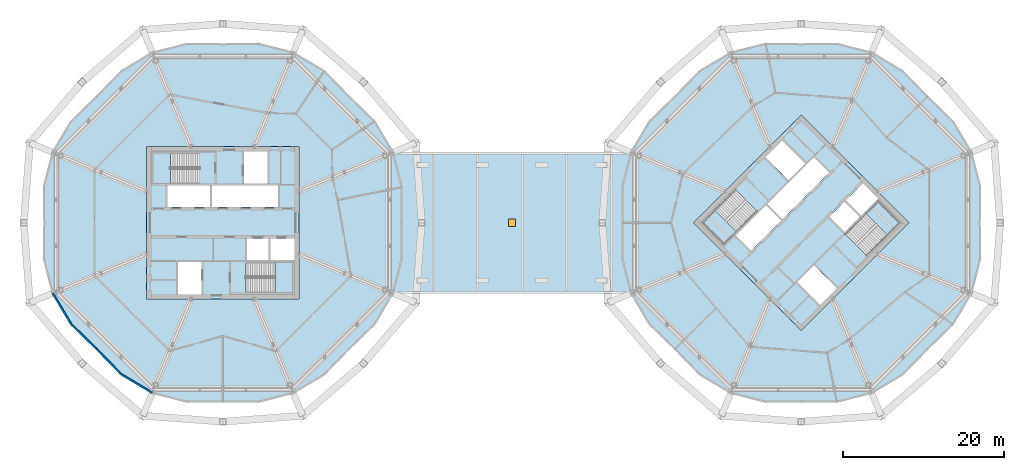
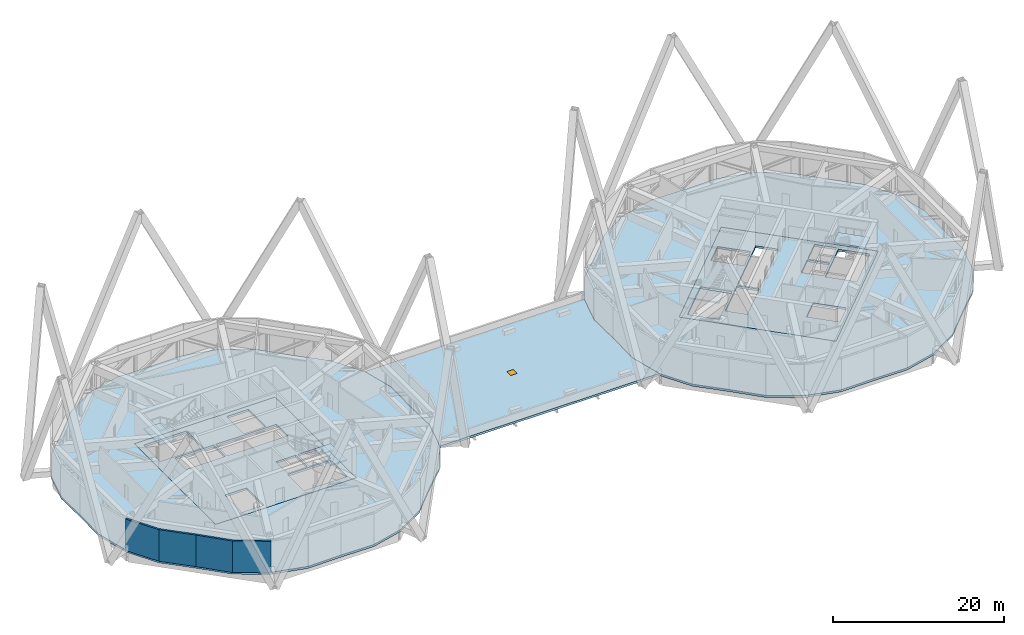
# One storey, part 11 of 20: 9 slabs, 4 walls, 1 door, 1 opening, 4 elements without a shape of their own.
"""IFC4 building model written with IfcOpenShell, lengths in metres."""

from ifc_helpers import new_model, si_unit, direction, frame, frame_2d, origin, origin_2d, place, context, subcontext, project, spatial, polyline, rectangle, outline, extrude, material, layer, layer_set, type_object, element, fill, aggregate, save


model = new_model("IFC4")

# Units and contexts
model_context = context("Model", 3, precision=1e-05, world=origin(), true_north=direction((0.0, 1.0)))
body_context = subcontext(model_context, "Body", "Model", "MODEL_VIEW")
ifc_project = project(units=[si_unit("LENGTHUNIT", "METRE"), si_unit("AREAUNIT", "SQUARE_METRE"), si_unit("VOLUMEUNIT", "CUBIC_METRE"), si_unit("PLANEANGLEUNIT", "RADIAN"), si_unit("MASSUNIT", "GRAM", prefix="KILO")], contexts=[model_context])

# Site, building, storey
site_placement = place(None, origin())
site = spatial("IfcSite", under=ifc_project, at=site_placement, CompositionType="ELEMENT")
building_placement = place(site_placement, origin())
building = spatial("IfcBuilding", under=site, at=building_placement, Name="Ogive Gate Towers", CompositionType="ELEMENT")
storey_placement = place(building_placement, frame((0.0, 0.0, 160.800048828125)))
storey = spatial("IfcBuildingStorey", under=building, at=storey_placement, Name="L38", CompositionType="ELEMENT", Elevation=160.800048828125)

# Slabs
ifc_material_1 = material(Name="Concrete C40/50", Category="concrete")
ifc_layer_1 = layer(ifc_material_1, 0.300048828125)
ifc_layer_set_1 = layer_set([ifc_layer_1], Name="Core slab C40/50 300 mm")
slab_type_1 = type_object("IfcSlabType", Name="Core slab C40/50 300 mm", PredefinedType="FLOOR", material=ifc_layer_set_1)
slab_1_placement = place(storey_placement, frame((0.0, 0.0, -0.300048828125)))
element("IfcSlab", 1, at=slab_1_placement, inside=storey, type_object=slab_type_1, Name="T1 L38 core slab", PredefinedType="FLOOR", context=body_context, shape_type="SweptSolid", body=[
    extrude(outline(polyline([(-45.5, -9.5), (-45.5, 9.5), (-26.5, 9.5), (-26.5, -9.5), (-45.5, -9.5)]), holes=[polyline([(-42.875, 1.949951171875), (-37.574951171875, 1.949951171875), (-37.574951171875, 4.625), (-42.875, 4.625), (-42.875, 1.949951171875)]), polyline([(-37.324951171875, 4.625), (-37.324951171875, 1.949951171875), (-29.125, 1.949951171875), (-29.125, 4.625), (-37.324951171875, 4.625)]), polyline([(-30.324951171875, -1.949951171875), (-32.97509765625, -1.949951171875), (-32.97509765625, -4.625), (-30.324951171875, -4.625), (-30.324951171875, -1.949951171875)]), polyline([(-27.10009765625, -4.625), (-27.10009765625, -1.949951171875), (-30.074951171875, -1.949951171875), (-30.074951171875, -4.625), (-27.10009765625, -4.625)]), polyline([(-33.375, 4.875), (-30.425048828125, 4.875), (-30.425048828125, 8.89990234375), (-33.375, 8.89990234375), (-33.375, 4.875)]), polyline([(-41.574951171875, -4.875), (-41.574951171875, -8.89990234375), (-38.625, -8.89990234375), (-38.625, -4.875), (-41.574951171875, -4.875)]), polyline([(-44.699951171875, 4.875), (-38.885009765625, 4.875), (-38.885009765625, 8.699951171875), (-44.699951171875, 8.699951171875), (-44.699951171875, 4.875)]), polyline([(-27.300048828125, -8.699951171875), (-27.300048828125, -4.875), (-33.114990234375, -4.875), (-33.114990234375, -8.699951171875), (-27.300048828125, -8.699951171875)])]), origin(), (0.0, 0.0, 1.0), 0.300048828125),
])
slab_2_placement = place(storey_placement, frame((0.0, 0.0, -0.300048828125)))
element("IfcSlab", 2, at=slab_2_placement, inside=storey, type_object=slab_type_1, Name="T2 L38 core slab", PredefinedType="FLOOR", context=body_context, shape_type="SweptSolid", body=[
    extrude(outline(polyline([(36.0, -13.43505859375), (22.56494140625, 0.0), (36.0, 13.43505859375), (49.43505859375, 0.0), (36.0, -13.43505859375)]), holes=[polyline([(29.759765625, -3.482421875), (33.50732421875, 0.26513671875), (31.615966796875, 2.15673828125), (27.868408203125, -1.591064453125), (29.759765625, -3.482421875)]), polyline([(31.792724609375, 2.33349609375), (33.68408203125, 0.44189453125), (39.482421875, 6.240234375), (37.591064453125, 8.131591796875), (31.792724609375, 2.33349609375)]), polyline([(41.3916015625, 2.634033203125), (39.517822265625, 0.760009765625), (41.409423828125, -1.13134765625), (43.283203125, 0.742431640625), (41.3916015625, 2.634033203125)]), polyline([(45.563720703125, 3.02294921875), (43.672119140625, 4.914306640625), (41.568603515625, 2.810791015625), (43.4599609375, 0.919189453125), (45.563720703125, 3.02294921875)]), polyline([(34.408935546875, 5.30322265625), (36.4951171875, 7.389404296875), (33.64892578125, 10.2353515625), (31.56298828125, 8.1494140625), (34.408935546875, 5.30322265625)]), polyline([(35.5048828125, -7.389404296875), (38.35107421875, -10.2353515625), (40.43701171875, -8.1494140625), (37.591064453125, -5.30322265625), (35.5048828125, -7.389404296875)]), polyline([(26.40087890625, -2.70458984375), (30.512939453125, 1.406982421875), (27.80810546875, 4.11181640625), (23.6962890625, 0.0), (26.40087890625, -2.70458984375)]), polyline([(48.3037109375, 0.0), (45.59912109375, 2.70458984375), (41.487060546875, -1.406982421875), (44.19189453125, -4.11181640625), (48.3037109375, 0.0)])]), origin(), (0.0, 0.0, 1.0), 0.300048828125),
])
ifc_material_2 = material(Name="Concrete C35/45", Category="concrete")
ifc_layer_2 = layer(ifc_material_2, 0.300048828125)
ifc_layer_set_2 = layer_set([ifc_layer_2], Name="Floor slab 300")
slab_type_2 = type_object("IfcSlabType", Name="Floor slab 300", PredefinedType="FLOOR", material=ifc_layer_set_2)
slab_3_placement = place(storey_placement, frame((0.0, 0.0, -0.300048828125)))
element("IfcSlab", 3, at=slab_3_placement, inside=storey, type_object=slab_type_2, Name="T1/L38/SSL001", PredefinedType="FLOOR", context=body_context, shape_type="SweptSolid", body=[
    extrude(outline(polyline([(-13.697021484375, -4.436279296875), (-13.760009765625, 0.0), (-13.697021484375, 4.436279296875), (-14.80615234375, 8.77880859375), (-17.09228515625, 12.6337890625), (-20.27392578125, 15.72607421875), (-23.3662109375, 18.90771484375), (-27.22119140625, 21.19384765625), (-31.563720703125, 22.302978515625), (-36.0, 22.239990234375), (-40.436279296875, 22.302978515625), (-44.77880859375, 21.19384765625), (-48.6337890625, 18.90771484375), (-51.72607421875, 15.72607421875), (-54.90771484375, 12.6337890625), (-57.19384765625, 8.77880859375), (-58.302978515625, 4.436279296875), (-58.239990234375, 0.0), (-58.302978515625, -4.436279296875), (-57.19384765625, -8.77880859375), (-54.90771484375, -12.6337890625), (-51.72607421875, -15.72607421875), (-48.6337890625, -18.90771484375), (-44.77880859375, -21.19384765625), (-40.436279296875, -22.302978515625), (-36.0, -22.239990234375), (-31.563720703125, -22.302978515625), (-27.22119140625, -21.19384765625), (-23.3662109375, -18.90771484375), (-20.27392578125, -15.72607421875), (-17.09228515625, -12.6337890625), (-14.80615234375, -8.77880859375), (-13.697021484375, -4.436279296875)]), holes=[polyline([(-26.5, -9.5), (-45.5, -9.5), (-45.5, 9.5), (-26.5, 9.5), (-26.5, -9.5)])]), origin(), (0.0, 0.0, 1.0), 0.300048828125),
])
slab_4_placement = place(storey_placement, frame((0.0, 0.0, -0.300048828125)))
element("IfcSlab", 4, at=slab_4_placement, inside=storey, type_object=slab_type_2, Name="T2/L38/SSL001", PredefinedType="FLOOR", context=body_context, shape_type="SweptSolid", body=[
    extrude(outline(polyline([(58.302978515625, -4.436279296875), (58.239990234375, 0.0), (58.302978515625, 4.436279296875), (57.19384765625, 8.77880859375), (54.90771484375, 12.6337890625), (51.72607421875, 15.72607421875), (48.6337890625, 18.90771484375), (44.77880859375, 21.19384765625), (40.436279296875, 22.302978515625), (36.0, 22.239990234375), (31.563720703125, 22.302978515625), (27.22119140625, 21.19384765625), (23.3662109375, 18.90771484375), (20.27392578125, 15.72607421875), (17.09228515625, 12.6337890625), (14.80615234375, 8.77880859375), (13.697021484375, 4.436279296875), (13.760009765625, 0.0), (13.697021484375, -4.436279296875), (14.80615234375, -8.77880859375), (17.09228515625, -12.6337890625), (20.27392578125, -15.72607421875), (23.3662109375, -18.90771484375), (27.22119140625, -21.19384765625), (31.563720703125, -22.302978515625), (36.0, -22.239990234375), (40.436279296875, -22.302978515625), (44.77880859375, -21.19384765625), (48.6337890625, -18.90771484375), (51.72607421875, -15.72607421875), (54.90771484375, -12.6337890625), (57.19384765625, -8.77880859375), (58.302978515625, -4.436279296875)]), holes=[polyline([(49.43505859375, 0.0), (36.0, -13.43505859375), (22.56494140625, 0.0), (36.0, 13.43505859375), (49.43505859375, 0.0)])]), origin(), (0.0, 0.0, 1.0), 0.300048828125),
])

# Slab, opening, door
ifc_layer_3 = layer(ifc_material_2, 0.300048828125)
ifc_layer_set_3 = layer_set([ifc_layer_3], Name="Green roof slab 300")
slab_type_3 = type_object("IfcSlabType", Name="Green roof slab 300", PredefinedType="ROOF", material=ifc_layer_set_3)
slab_5_placement = place(storey_placement, frame((0.0, 0.0, -0.300048828125)))
slab_5 = element("IfcSlab", 5, at=slab_5_placement, inside=storey, type_object=slab_type_3, Name="BR/L38/SSL001", PredefinedType="ROOF", context=body_context, shape_type="SweptSolid", body=[
    extrude(outline(polyline([(-14.80615234375, -8.77880859375), (-14.80615234375, -8.77880859375), (14.80615234375, -8.77880859375), (14.80615234375, -8.77880859375), (13.697021484375, -4.436279296875), (13.760009765625, 0.0), (13.697021484375, 4.436279296875), (14.80615234375, 8.77880859375), (-14.80615234375, 8.77880859375), (-13.697021484375, 4.436279296875), (-13.760009765625, 0.0), (-13.697021484375, -4.436279296875), (-14.80615234375, -8.77880859375)]), holes=[polyline([(0.449951171875, -0.449951171875), (-0.449951171875, -0.449951171875), (-0.449951171875, 0.449951171875), (0.449951171875, 0.449951171875), (0.449951171875, -0.449951171875)])]), origin(), (0.0, 0.0, 1.0), 0.300048828125),
])
opening_placement = place(slab_5_placement, frame((0.0, 0.0, -0.010009765625)))
opening = element("IfcOpeningElement", 6, at=opening_placement, cuts=slab_5, Name="Opening ED6-L38-01", PredefinedType="OPENING", context=body_context, shape_type="SweptSolid", body=[
    extrude(rectangle(XDim=0.89990234375, YDim=0.89990234375, at=origin_2d()), origin(), (0.0, 0.0, 1.0), 0.320068359375),
])
ifc_material_3 = material(Name="Galvanised steel", Category="steel")
door_type = type_object("IfcDoorType", Name="Roof hatch 900 x 900", OperationType="NOTDEFINED", PredefinedType="TRAPDOOR", material=ifc_material_3)
door_placement = place(opening_placement, frame((0.0, 0.0, 0.260009765625)))
door = element("IfcDoor", 7, at=door_placement, inside=storey, type_object=door_type, Name="Roof hatch", OperationType="SINGLE_SWING_LEFT", OverallHeight=0.89990234375, OverallWidth=0.89990234375, PredefinedType="TRAPDOOR", context=body_context, shape_type="SweptSolid", body=[
    extrude(rectangle(XDim=0.89990234375, YDim=0.89990234375, at=origin_2d()), origin(), (0.0, 0.0, 1.0), 0.050048828125),
])
fill(opening, door)

# Stair, slab
stair_type = type_object("IfcStairType", Name="Escape stair 1840 wide", PredefinedType="HALF_TURN_STAIR", material=ifc_material_1)
stair_1_placement = place(storey_placement, origin())
stair_1 = element("IfcStair", 8, at=stair_1_placement, inside=storey, type_object=stair_type, Name="L38 Escape stair 1", PredefinedType="HALF_TURN_STAIR")
ifc_layer_4 = layer(ifc_material_1, 0.199951171875)
ifc_layer_set_4 = layer_set([ifc_layer_4], Name="Stair landing 200 mm")
slab_type_4 = type_object("IfcSlabType", Name="Stair landing 200 mm", PredefinedType="LANDING", material=ifc_layer_set_4)
slab_6_placement = place(storey_placement, frame((0.0, 0.0, 2.199951171875)))
slab_6 = element("IfcSlab", 9, at=slab_6_placement, type_object=slab_type_4, Name="ST1 landing 1", PredefinedType="LANDING", context=body_context, shape_type="SweptSolid", body=[
    extrude(outline(polyline([(-42.5048828125, 8.699951171875), (-44.699951171875, 8.699951171875), (-44.699951171875, 4.875), (-42.5048828125, 4.875), (-42.5048828125, 8.699951171875)])), origin(), (0.0, 0.0, 1.0), 0.199951171875),
])
aggregate(stair_1, [slab_6])

stair_2_placement = place(storey_placement, origin())
stair_2 = element("IfcStair", 10, at=stair_2_placement, inside=storey, type_object=stair_type, Name="L38 Escape stair 2", PredefinedType="HALF_TURN_STAIR")
slab_7_placement = place(storey_placement, frame((0.0, 0.0, 2.199951171875)))
slab_7 = element("IfcSlab", 11, at=slab_7_placement, type_object=slab_type_4, Name="ST2 landing 1", PredefinedType="LANDING", context=body_context, shape_type="SweptSolid", body=[
    extrude(outline(polyline([(-29.4951171875, -8.699951171875), (-27.300048828125, -8.699951171875), (-27.300048828125, -4.875), (-29.4951171875, -4.875), (-29.4951171875, -8.699951171875)])), origin(), (0.0, 0.0, 1.0), 0.199951171875),
])
aggregate(stair_2, [slab_7])

stair_3_placement = place(storey_placement, origin())
stair_3 = element("IfcStair", 12, at=stair_3_placement, inside=storey, type_object=stair_type, Name="L38 Escape stair 1", PredefinedType="HALF_TURN_STAIR")
slab_8_placement = place(storey_placement, frame((0.0, 0.0, 2.199951171875)))
slab_8 = element("IfcSlab", 13, at=slab_8_placement, type_object=slab_type_4, Name="ST1 landing 1", PredefinedType="LANDING", context=body_context, shape_type="SweptSolid", body=[
    extrude(outline(polyline([(25.24853515625, 1.552001953125), (23.6962890625, 0.0), (26.401123046875, -2.70458984375), (27.953125, -1.152587890625), (25.24853515625, 1.552001953125)])), origin(), (0.0, 0.0, 1.0), 0.199951171875),
])
aggregate(stair_3, [slab_8])

stair_4_placement = place(storey_placement, origin())
stair_4 = element("IfcStair", 14, at=stair_4_placement, inside=storey, type_object=stair_type, Name="L38 Escape stair 2", PredefinedType="HALF_TURN_STAIR")
slab_9_placement = place(storey_placement, frame((0.0, 0.0, 2.199951171875)))
slab_9 = element("IfcSlab", 15, at=slab_9_placement, type_object=slab_type_4, Name="ST2 landing 1", PredefinedType="LANDING", context=body_context, shape_type="SweptSolid", body=[
    extrude(outline(polyline([(46.75146484375, -1.552001953125), (48.3037109375, 0.0), (45.598876953125, 2.70458984375), (44.046875, 1.152587890625), (46.75146484375, -1.552001953125)])), origin(), (0.0, 0.0, 1.0), 0.199951171875),
])
aggregate(stair_4, [slab_9])

# Walls
ifc_material_4 = material(Name="Pale metal aluminium louvre", Category="aluminium")
ifc_layer_5 = layer(ifc_material_4, 0.25)
ifc_layer_set_5 = layer_set([ifc_layer_5], Name="Plant louvre wall")
wall_type = type_object("IfcWallType", Name="Plant louvre wall", PredefinedType="SOLIDWALL", material=ifc_layer_set_5)
wall_1_placement = place(storey_placement, frame((-57.17041015625, -8.76904296875, 0.0), z_axis=(0.0, 0.0, 1.0), x_axis=(0.510092473899, -0.860119566149, 0.0)))
element("IfcWall", 16, at=wall_1_placement, inside=storey, type_object=wall_type, Name="Plant louvre wall", PredefinedType="SOLIDWALL", context=body_context, shape_type="SweptSolid", body=[
    extrude(rectangle(XDim=4.47509765625, YDim=0.25, at=frame_2d((2.237548828125, 0.0))), origin(), (0.0, 0.0, 1.0), 4.5),
])
for number, where, z_axis, x_axis, name in (
    (17, (-54.8876953125, -12.6181640625, 0.0), (0.0, 0.0, 1.0), (0.717057604058, -0.69701391124, 0.0), "Plant louvre wall"),
    (18, (-51.70849609375, -15.70849609375, 0.0), (0.0, 0.0, 1.0), (0.69701391124, -0.717057604058, 0.0), "Plant louvre wall"),
):
    element("IfcWall", number, at=place(storey_placement, frame(where, z_axis=z_axis, x_axis=x_axis)), inside=storey, type_object=wall_type, Name=name, PredefinedType="SOLIDWALL", context=body_context, shape_type="SweptSolid", body=[
        extrude(rectangle(XDim=4.43359375, YDim=0.25, at=frame_2d((2.216796875, 0.0))), origin(), (0.0, 0.0, 1.0), 4.5),
    ])
wall_2_placement = place(storey_placement, frame((-48.6181640625, -18.8876953125, 0.0), z_axis=(0.0, 0.0, 1.0), x_axis=(0.860119566149, -0.510092473899, 0.0)))
element("IfcWall", 19, at=wall_2_placement, inside=storey, type_object=wall_type, Name="Plant louvre wall", PredefinedType="SOLIDWALL", context=body_context, shape_type="SweptSolid", body=[
    extrude(rectangle(XDim=4.47509765625, YDim=0.25, at=frame_2d((2.237548828125, 0.0))), origin(), (0.0, 0.0, 1.0), 4.5),
])

save(model, "model.ifc")
